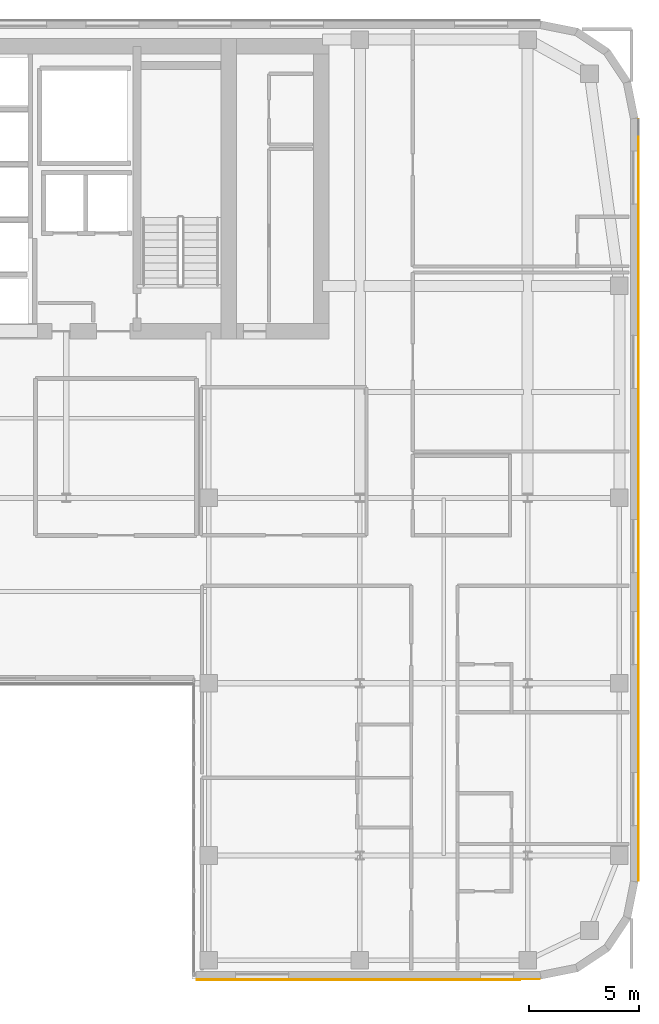
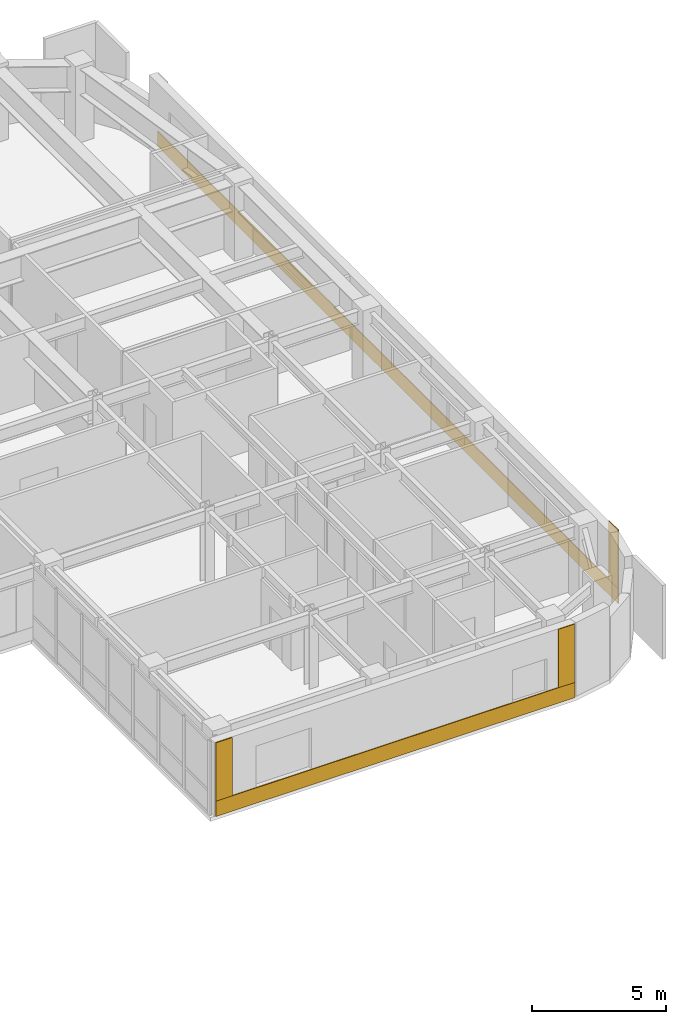
# One storey, part 18 of 20: 5 coverings.
"""IFC4 building model written with IfcOpenShell, lengths in metres."""

from ifc_helpers import new_model, si_unit, direction, frame, origin, place, context, subcontext, project, spatial, polyline, outline, extrude, material, layer, layer_set, type_object, element, save


model = new_model("IFC4")

# Units and contexts
model_context = context("Model", 3, precision=1e-05, world=origin(), true_north=direction((0.0, 1.0)))
body_context = subcontext(model_context, "Body", "Model", "MODEL_VIEW")
ifc_project = project(units=[si_unit("LENGTHUNIT", "METRE"), si_unit("AREAUNIT", "SQUARE_METRE"), si_unit("VOLUMEUNIT", "CUBIC_METRE"), si_unit("PLANEANGLEUNIT", "RADIAN"), si_unit("MASSUNIT", "GRAM", prefix="KILO")], contexts=[model_context])

# Site, building, storey
site_placement = place(None, origin())
site = spatial("IfcSite", under=ifc_project, at=site_placement, CompositionType="ELEMENT")
building_placement = place(site_placement, origin())
building = spatial("IfcBuilding", under=site, at=building_placement, Name="Tolvann Quenvar Hotel", CompositionType="ELEMENT")
storey_placement = place(building_placement, frame((0.0, 0.0, 191.10009765625)))
storey = spatial("IfcBuildingStorey", under=building, at=storey_placement, Name="L50", CompositionType="ELEMENT", Elevation=191.10009765625)

# Coverings
ifc_material_1 = material(Name="Kiln-fired red architectural face brick cladding", Category="masonry")
ifc_layer_1 = layer(ifc_material_1, 0.0400390625)
ifc_layer_set_1 = layer_set([ifc_layer_1], Name="Kiln-fired red architectural face brick cladding")
covering_type_1 = type_object("IfcCoveringType", Name="COV_CLAD_BRICK_40", PredefinedType="CLADDING", material=ifc_layer_set_1)
covering_1_placement = place(storey_placement, frame((0.0, 0.0, 0.699951171875)))
element("IfcCovering", 1, at=covering_1_placement, inside=storey, type_object=covering_type_1, Name="Brick Pier Cladding (L50-E08-P1)", PredefinedType="CLADDING", context=body_context, shape_type="SweptSolid", body=[
    extrude(outline(polyline([(34.425048828125, 2.60009765625), (35.125, 2.60009765625), (35.125, 2.56005859375), (34.425048828125, 2.56005859375), (34.425048828125, 2.60009765625)])), origin(), (0.0, 0.0, 1.0), 2.669921875),
])
covering_2_placement = place(storey_placement, frame((0.0, 0.0, 0.699951171875)))
element("IfcCovering", 2, at=covering_2_placement, inside=storey, type_object=covering_type_1, Name="Brick Pier Cladding (L50-E08-P2)", PredefinedType="CLADDING", context=body_context, shape_type="SweptSolid", body=[
    extrude(outline(polyline([(49.23291015625, 2.60009765625), (49.932861328125, 2.60009765625), (49.932861328125, 2.56005859375), (49.23291015625, 2.56005859375), (49.23291015625, 2.60009765625)])), origin(), (0.0, 0.0, 1.0), 2.669921875),
])
covering_3_placement = place(storey_placement, frame((0.0, 0.0, 0.699951171875)))
element("IfcCovering", 3, at=covering_3_placement, inside=storey, type_object=covering_type_1, Name="Brick Pier Cladding (L50-E13-P1)", PredefinedType="CLADDING", context=body_context, shape_type="SweptSolid", body=[
    extrude(outline(polyline([(54.39990234375, 7.067138671875), (54.39990234375, 7.76708984375), (54.43994140625, 7.76708984375), (54.43994140625, 7.067138671875), (54.39990234375, 7.067138671875)])), origin(), (0.0, 0.0, 1.0), 2.669921875),
])
ifc_material_2 = material(Name="Moulded buff architectural terracotta spandrel cladding", Category="masonry")
ifc_layer_2 = layer(ifc_material_2, 0.0400390625)
ifc_layer_set_2 = layer_set([ifc_layer_2], Name="Moulded buff architectural terracotta spandrel cladding")
covering_type_2 = type_object("IfcCoveringType", Name="COV_CLAD_TERRA_40", PredefinedType="CLADDING", material=ifc_layer_set_2)
covering_4_placement = place(storey_placement, origin())
element("IfcCovering", 4, at=covering_4_placement, inside=storey, type_object=covering_type_2, Name="Terracotta Spandrel Cladding (L50-E08)", PredefinedType="CLADDING", context=body_context, shape_type="SweptSolid", body=[
    extrude(outline(polyline([(34.4150390625, 2.60009765625), (49.94287109375, 2.60009765625), (49.94287109375, 2.56005859375), (34.4150390625, 2.56005859375), (34.4150390625, 2.60009765625)])), origin(), (0.0, 0.0, 1.0), 0.699951171875),
])
covering_5_placement = place(storey_placement, origin())
element("IfcCovering", 5, at=covering_5_placement, inside=storey, type_object=covering_type_2, Name="Terracotta Spandrel Cladding (L50-E13)", PredefinedType="CLADDING", context=body_context, shape_type="SweptSolid", body=[
    extrude(outline(polyline([(54.39990234375, 7.05712890625), (54.39990234375, 41.542724609375), (54.43994140625, 41.542724609375), (54.43994140625, 7.05712890625), (54.39990234375, 7.05712890625)])), origin(), (0.0, 0.0, 1.0), 0.699951171875),
])

save(model, "model.ifc")
